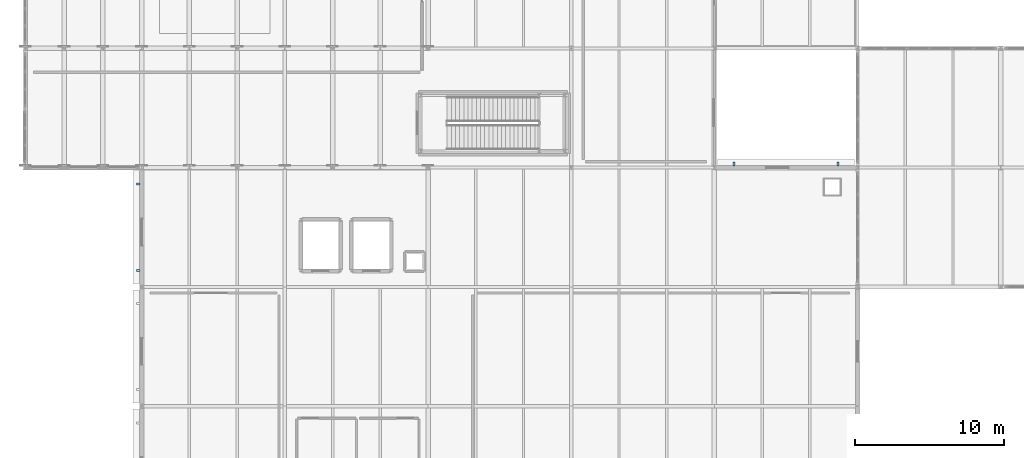
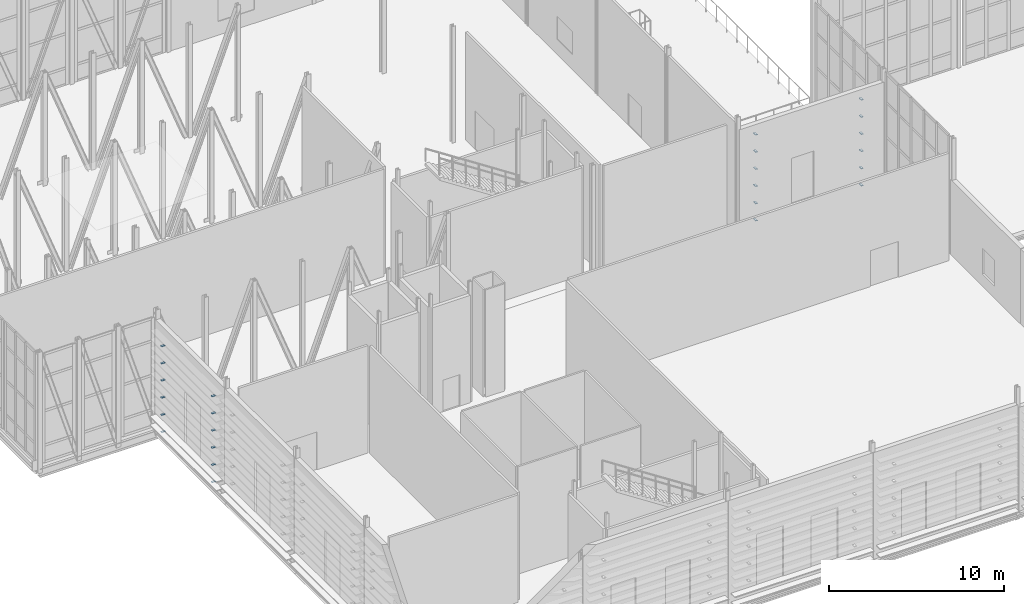
# One storey, part 59 of 73: 24 plates.
"""IFC4 building model written with IfcOpenShell, lengths in metres."""

from ifc_helpers import new_model, si_unit, direction, frame, origin, origin_2d, place, context, subcontext, project, spatial, rectangle, extrude, material, layer, layer_set, type_object, element, save


model = new_model("IFC4")

# Units and contexts
model_context = context("Model", 3, precision=1e-05, world=origin(), true_north=direction((0.0, 1.0)))
body_context = subcontext(model_context, "Body", "Model", "MODEL_VIEW")
ifc_project = project(units=[si_unit("LENGTHUNIT", "METRE"), si_unit("AREAUNIT", "SQUARE_METRE"), si_unit("VOLUMEUNIT", "CUBIC_METRE"), si_unit("PLANEANGLEUNIT", "RADIAN"), si_unit("MASSUNIT", "GRAM", prefix="KILO")], contexts=[model_context])

# Site, building, storey
site_placement = place(None, origin())
site = spatial("IfcSite", under=ifc_project, at=site_placement, CompositionType="ELEMENT")
building_placement = place(site_placement, origin())
building = spatial("IfcBuilding", under=site, at=building_placement, Name="Alderhovde Museum", CompositionType="ELEMENT")
storey_placement = place(building_placement, frame((0.0, 0.0, 17.39990234375)))
storey = spatial("IfcBuildingStorey", under=building, at=storey_placement, Name="L04", CompositionType="ELEMENT", Elevation=17.39990234375)

# Plates
ifc_material = material(Name="Steel S355J2", Category="steel")
ifc_layer = layer(ifc_material, 0.02001953125)
ifc_layer_set = layer_set([ifc_layer], Name="Steel S355J2")
plate_type = type_object("IfcPlateType", Name="LV-BRACKET", PredefinedType="USERDEFINED", material=ifc_layer_set)
for number, where, z_axis, x_axis, name in (
    (1, (9.3701171875, 73.112060546875, 0.2900390625), (0.0, 0.0, 1.0), (0.0, 1.0, 0.0), "L04 Louvre Support Bracket 235-1"),
    (2, (9.3701171875, 78.887939453125, 0.2900390625), (0.0, 0.0, 1.0), (0.0, 1.0, 0.0), "L04 Louvre Support Bracket 235-2"),
    (3, (9.3701171875, 73.112060546875, 1.489990234375), (0.0, 0.0, 1.0), (0.0, 1.0, 0.0), "L04 Louvre Support Bracket 237-1"),
    (4, (9.3701171875, 78.887939453125, 1.489990234375), (0.0, 0.0, 1.0), (0.0, 1.0, 0.0), "L04 Louvre Support Bracket 237-2"),
    (5, (9.3701171875, 73.112060546875, 2.690185546875), (0.0, 0.0, 1.0), (0.0, 1.0, 0.0), "L04 Louvre Support Bracket 239-1"),
    (6, (9.3701171875, 78.887939453125, 2.690185546875), (0.0, 0.0, 1.0), (0.0, 1.0, 0.0), "L04 Louvre Support Bracket 239-2"),
    (7, (9.3701171875, 73.112060546875, 3.89013671875), (0.0, 0.0, 1.0), (0.0, 1.0, 0.0), "L04 Louvre Support Bracket 241-1"),
    (8, (9.3701171875, 78.887939453125, 3.89013671875), (0.0, 0.0, 1.0), (0.0, 1.0, 0.0), "L04 Louvre Support Bracket 241-2"),
    (9, (9.3701171875, 73.112060546875, 5.090087890625), (0.0, 0.0, 1.0), (0.0, 1.0, 0.0), "L04 Louvre Support Bracket 243-1"),
    (10, (9.3701171875, 78.887939453125, 5.090087890625), (0.0, 0.0, 1.0), (0.0, 1.0, 0.0), "L04 Louvre Support Bracket 243-2"),
    (11, (9.3701171875, 73.112060546875, 6.2900390625), (0.0, 0.0, 1.0), (0.0, 1.0, 0.0), "L04 Louvre Support Bracket 245-1"),
    (12, (9.3701171875, 78.887939453125, 6.2900390625), (0.0, 0.0, 1.0), (0.0, 1.0, 0.0), "L04 Louvre Support Bracket 245-2"),
    (13, (49.303955078125, 80.22998046875, 0.2900390625), (0.0, 0.0, 1.0), (1.0, 0.0, 0.0), "L04 Louvre Support Bracket 307-1"),
    (14, (56.2958984375, 80.22998046875, 0.2900390625), (0.0, 0.0, 1.0), (1.0, 0.0, 0.0), "L04 Louvre Support Bracket 307-2"),
    (15, (49.303955078125, 80.22998046875, 1.489990234375), (0.0, 0.0, 1.0), (1.0, 0.0, 0.0), "L04 Louvre Support Bracket 309-1"),
    (16, (56.2958984375, 80.22998046875, 1.489990234375), (0.0, 0.0, 1.0), (1.0, 0.0, 0.0), "L04 Louvre Support Bracket 309-2"),
    (17, (49.303955078125, 80.22998046875, 2.690185546875), (0.0, 0.0, 1.0), (1.0, 0.0, 0.0), "L04 Louvre Support Bracket 311-1"),
    (18, (56.2958984375, 80.22998046875, 2.690185546875), (0.0, 0.0, 1.0), (1.0, 0.0, 0.0), "L04 Louvre Support Bracket 311-2"),
    (19, (49.303955078125, 80.22998046875, 3.89013671875), (0.0, 0.0, 1.0), (1.0, 0.0, 0.0), "L04 Louvre Support Bracket 313-1"),
    (20, (56.2958984375, 80.22998046875, 3.89013671875), (0.0, 0.0, 1.0), (1.0, 0.0, 0.0), "L04 Louvre Support Bracket 313-2"),
    (21, (49.303955078125, 80.22998046875, 5.090087890625), (0.0, 0.0, 1.0), (1.0, 0.0, 0.0), "L04 Louvre Support Bracket 315-1"),
    (22, (56.2958984375, 80.22998046875, 5.090087890625), (0.0, 0.0, 1.0), (1.0, 0.0, 0.0), "L04 Louvre Support Bracket 315-2"),
    (23, (49.303955078125, 80.22998046875, 6.2900390625), (0.0, 0.0, 1.0), (1.0, 0.0, 0.0), "L04 Louvre Support Bracket 317-1"),
    (24, (56.2958984375, 80.22998046875, 6.2900390625), (0.0, 0.0, 1.0), (1.0, 0.0, 0.0), "L04 Louvre Support Bracket 317-2"),
):
    element("IfcPlate", number, at=place(storey_placement, frame(where, z_axis=z_axis, x_axis=x_axis)), inside=storey, type_object=plate_type, Name=name, ObjectType="BRACKET PLATE", PredefinedType="USERDEFINED", context=body_context, shape_type="SweptSolid", body=[
        extrude(rectangle(XDim=0.139892578125, YDim=0.260009765625, at=origin_2d()), origin(), (0.0, 0.0, 1.0), 0.02001953125),
    ])

save(model, "model.ifc")
